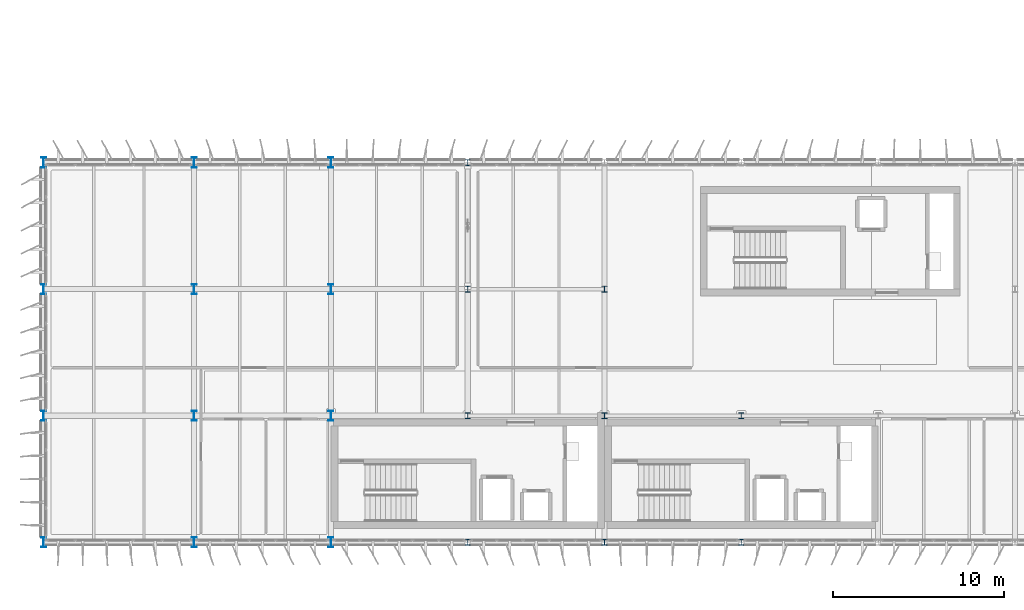
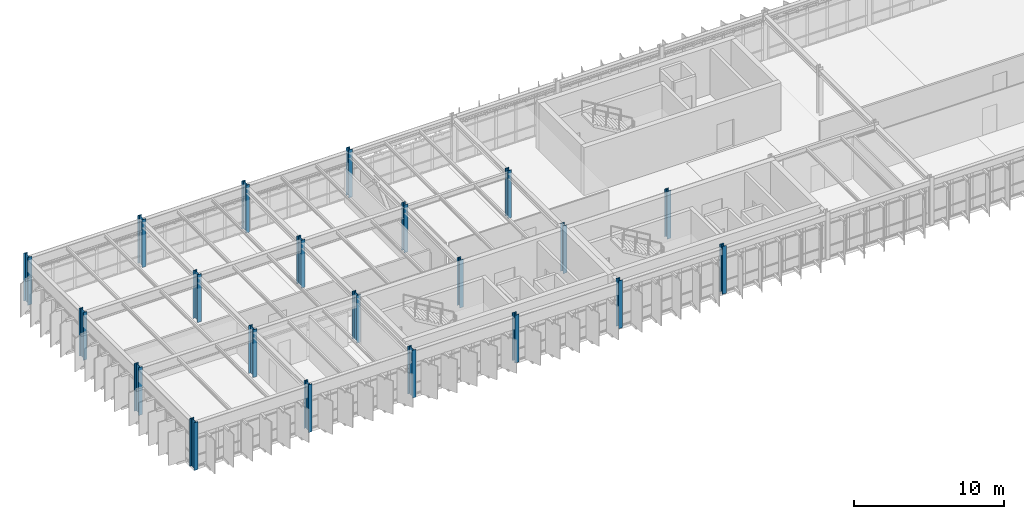
# One storey, part 1 of 45: 21 columns.
"""IFC4 building model written with IfcOpenShell, lengths in metres."""

from ifc_helpers import new_model, si_unit, direction, frame, origin, origin_2d, place, context, subcontext, project, spatial, i_section, extrude, material, material_profile, profile_set, type_object, element, save


model = new_model("IFC4")

# Units and contexts
model_context = context("Model", 3, precision=1e-05, world=origin(), true_north=direction((0.0, 1.0)))
body_context = subcontext(model_context, "Body", "Model", "MODEL_VIEW")
ifc_project = project(units=[si_unit("LENGTHUNIT", "METRE"), si_unit("AREAUNIT", "SQUARE_METRE"), si_unit("VOLUMEUNIT", "CUBIC_METRE"), si_unit("PLANEANGLEUNIT", "RADIAN"), si_unit("MASSUNIT", "GRAM", prefix="KILO")], contexts=[model_context])

# Site, building, storey
site_placement = place(None, origin())
site = spatial("IfcSite", under=ifc_project, at=site_placement, CompositionType="ELEMENT")
building_placement = place(site_placement, origin())
building = spatial("IfcBuilding", under=site, at=building_placement, Name="Valkorina Park Police Headquarters", CompositionType="ELEMENT")
storey_placement = place(building_placement, frame((0.0, 0.0, 23.300048828125)))
storey = spatial("IfcBuildingStorey", under=building, at=storey_placement, Name="L06", CompositionType="ELEMENT", Elevation=23.300048828125)

# Columns
ifc_material = material(Name="Steel S355", Category="steel")
ifc_material_profile_1 = material_profile(ifc_material, i_section(OverallWidth=0.300048828125, OverallDepth=0.360107421875, WebThickness=0.012451171875, FlangeThickness=0.0224609375, FilletRadius=0.027099609375, at=origin_2d()), Name="HEB 360")
ifc_profile_set_1 = profile_set([ifc_material_profile_1], Name="Steel S355")
column_type_1 = type_object("IfcColumnType", Name="COL-S355-HEB360-EXT", PredefinedType="COLUMN", material=ifc_profile_set_1)
for number, where, z_axis, x_axis, name in (
    (1, (24.800048828125, 37.0, 0.0), (0.0, 0.0, 1.0), (1.0, 0.0, 0.0), "L06 Column 1039"),
    (2, (24.800048828125, 59.199951171875, 0.0), (0.0, 0.0, 1.0), (1.0, 0.0, 0.0), "L06 Column 1042"),
    (3, (32.800048828125, 37.0, 0.0), (0.0, 0.0, 1.0), (1.0, 0.0, 0.0), "L06 Column 1043"),
    (4, (40.800048828125, 37.0, 0.0), (0.0, 0.0, 1.0), (1.0, 0.0, 0.0), "L06 Column 1047"),
):
    element("IfcColumn", number, at=place(storey_placement, frame(where, z_axis=z_axis, x_axis=x_axis)), inside=storey, type_object=column_type_1, Name=name, PredefinedType="COLUMN", context=body_context, shape_type="SweptSolid", body=[
        extrude(i_section(OverallWidth=0.300048828125, OverallDepth=0.360107421875, WebThickness=0.012451171875, FlangeThickness=0.0224609375, FilletRadius=0.027099609375, at=origin_2d()), origin(), (0.0, 0.0, 1.0), 3.89990234375),
    ])
ifc_material_profile_2 = material_profile(ifc_material, i_section(OverallWidth=0.300048828125, OverallDepth=0.360107421875, WebThickness=0.012451171875, FlangeThickness=0.0224609375, FilletRadius=0.027099609375, at=origin_2d()), Name="HEB 360")
ifc_profile_set_2 = profile_set([ifc_material_profile_2], Name="Steel S355")
column_type_2 = type_object("IfcColumnType", Name="COL-S355-HEB360-INT", PredefinedType="COLUMN", material=ifc_profile_set_2)
for number, where, z_axis, x_axis, name in (
    (5, (24.800048828125, 44.39990234375, 0.0), (0.0, 0.0, 1.0), (1.0, 0.0, 0.0), "L06 Column 1040"),
    (6, (24.800048828125, 51.800048828125, 0.0), (0.0, 0.0, 1.0), (1.0, 0.0, 0.0), "L06 Column 1041"),
    (7, (32.800048828125, 44.39990234375, 0.0), (0.0, 0.0, 1.0), (1.0, 0.0, 0.0), "L06 Column 1044"),
    (8, (32.800048828125, 51.800048828125, 0.0), (0.0, 0.0, 1.0), (1.0, 0.0, 0.0), "L06 Column 1045"),
    (9, (40.800048828125, 44.39990234375, 0.0), (0.0, 0.0, 1.0), (1.0, 0.0, 0.0), "L06 Column 1048"),
):
    element("IfcColumn", number, at=place(storey_placement, frame(where, z_axis=z_axis, x_axis=x_axis)), inside=storey, type_object=column_type_2, Name=name, PredefinedType="COLUMN", context=body_context, shape_type="SweptSolid", body=[
        extrude(i_section(OverallWidth=0.300048828125, OverallDepth=0.360107421875, WebThickness=0.012451171875, FlangeThickness=0.0224609375, FilletRadius=0.027099609375, at=origin_2d()), origin(), (0.0, 0.0, 1.0), 3.89990234375),
    ])
ifc_material_profile_3 = material_profile(ifc_material, i_section(OverallWidth=0.300048828125, OverallDepth=0.60009765625, WebThickness=0.015380859375, FlangeThickness=0.030029296875, FilletRadius=0.027099609375, at=origin_2d()), Name="HEB 600")
ifc_profile_set_3 = profile_set([ifc_material_profile_3], Name="Steel S355")
column_type_3 = type_object("IfcColumnType", Name="COL-S355-HEB600-EXT", PredefinedType="COLUMN", material=ifc_profile_set_3)
for number, where, z_axis, x_axis, name in (
    (10, (0.0, 37.0, 0.0), (0.0, 0.0, 1.0), (1.0, 0.0, 0.0), "L06 Column 1027"),
    (11, (0.0, 44.39990234375, 0.0), (0.0, 0.0, 1.0), (1.0, 0.0, 0.0), "L06 Column 1028"),
    (12, (0.0, 51.800048828125, 0.0), (0.0, 0.0, 1.0), (1.0, 0.0, 0.0), "L06 Column 1029"),
    (13, (0.0, 59.199951171875, 0.0), (0.0, 0.0, 1.0), (1.0, 0.0, 0.0), "L06 Column 1030"),
    (14, (8.800048828125, 37.0, 0.0), (0.0, 0.0, 1.0), (1.0, 0.0, 0.0), "L06 Column 1031"),
    (15, (8.800048828125, 59.199951171875, 0.0), (0.0, 0.0, 1.0), (1.0, 0.0, 0.0), "L06 Column 1034"),
    (16, (16.800048828125, 37.0, 0.0), (0.0, 0.0, 1.0), (1.0, 0.0, 0.0), "L06 Column 1035"),
    (17, (16.800048828125, 59.199951171875, 0.0), (0.0, 0.0, 1.0), (1.0, 0.0, 0.0), "L06 Column 1038"),
):
    element("IfcColumn", number, at=place(storey_placement, frame(where, z_axis=z_axis, x_axis=x_axis)), inside=storey, type_object=column_type_3, Name=name, PredefinedType="COLUMN", context=body_context, shape_type="SweptSolid", body=[
        extrude(i_section(OverallWidth=0.300048828125, OverallDepth=0.60009765625, WebThickness=0.015380859375, FlangeThickness=0.030029296875, FilletRadius=0.027099609375, at=origin_2d()), origin(), (0.0, 0.0, 1.0), 3.89990234375),
    ])
ifc_material_profile_4 = material_profile(ifc_material, i_section(OverallWidth=0.300048828125, OverallDepth=0.60009765625, WebThickness=0.015380859375, FlangeThickness=0.030029296875, FilletRadius=0.027099609375, at=origin_2d()), Name="HEB 600")
ifc_profile_set_4 = profile_set([ifc_material_profile_4], Name="Steel S355")
column_type_4 = type_object("IfcColumnType", Name="COL-S355-HEB600-INT", PredefinedType="COLUMN", material=ifc_profile_set_4)
for number, where, z_axis, x_axis, name in (
    (18, (8.800048828125, 44.39990234375, 0.0), (0.0, 0.0, 1.0), (1.0, 0.0, 0.0), "L06 Column 1032"),
    (19, (8.800048828125, 51.800048828125, 0.0), (0.0, 0.0, 1.0), (1.0, 0.0, 0.0), "L06 Column 1033"),
    (20, (16.800048828125, 44.39990234375, 0.0), (0.0, 0.0, 1.0), (1.0, 0.0, 0.0), "L06 Column 1036"),
    (21, (16.800048828125, 51.800048828125, 0.0), (0.0, 0.0, 1.0), (1.0, 0.0, 0.0), "L06 Column 1037"),
):
    element("IfcColumn", number, at=place(storey_placement, frame(where, z_axis=z_axis, x_axis=x_axis)), inside=storey, type_object=column_type_4, Name=name, PredefinedType="COLUMN", context=body_context, shape_type="SweptSolid", body=[
        extrude(i_section(OverallWidth=0.300048828125, OverallDepth=0.60009765625, WebThickness=0.015380859375, FlangeThickness=0.030029296875, FilletRadius=0.027099609375, at=origin_2d()), origin(), (0.0, 0.0, 1.0), 3.89990234375),
    ])

save(model, "model.ifc")
